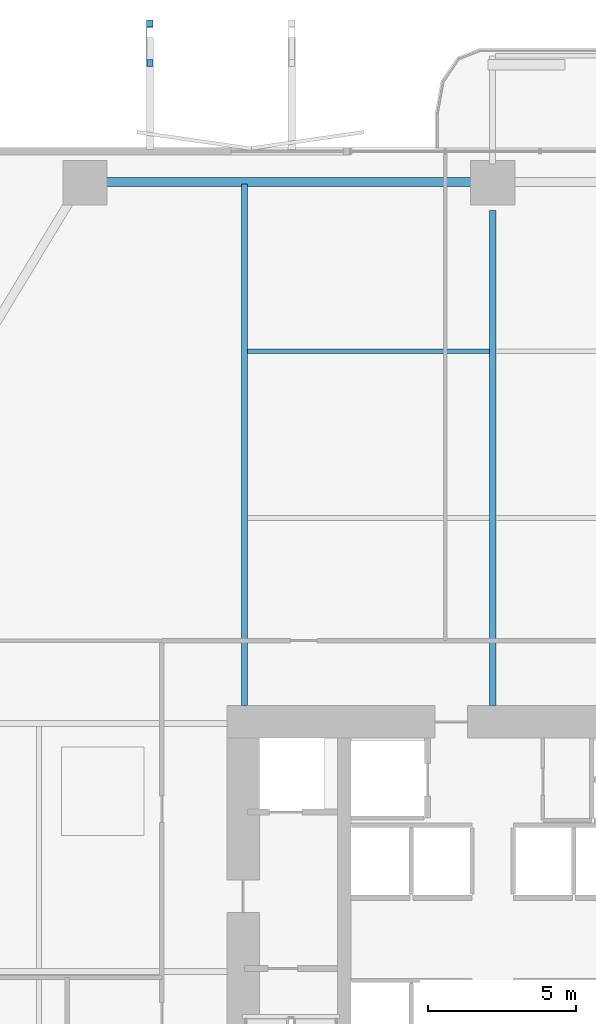
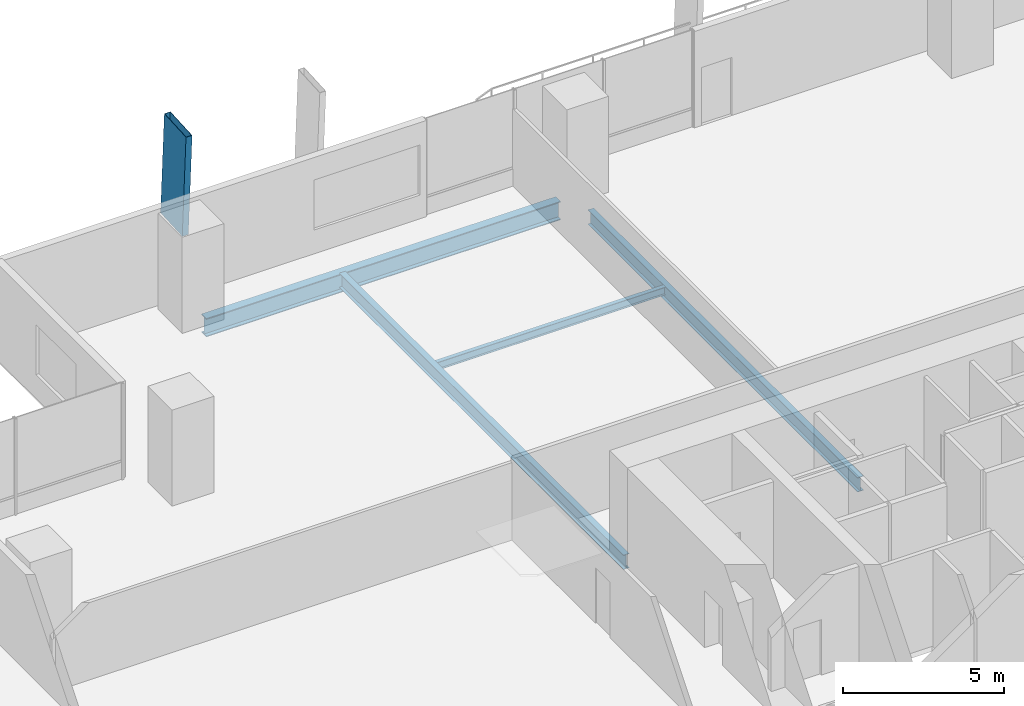
# One storey, part 16 of 30: 4 beams, 1 member.
"""IFC4 building model written with IfcOpenShell, lengths in metres."""

from ifc_helpers import new_model, si_unit, direction, frame, origin, origin_2d, place, context, subcontext, project, spatial, hollow_rectangle, i_section, extrude, material, material_profile, profile_set, type_object, element, save


model = new_model("IFC4")

# Units and contexts
model_context = context("Model", 3, precision=1e-05, world=origin(), true_north=direction((0.0, 1.0)))
body_context = subcontext(model_context, "Body", "Model", "MODEL_VIEW")
ifc_project = project(units=[si_unit("LENGTHUNIT", "METRE"), si_unit("AREAUNIT", "SQUARE_METRE"), si_unit("VOLUMEUNIT", "CUBIC_METRE"), si_unit("PLANEANGLEUNIT", "RADIAN"), si_unit("MASSUNIT", "GRAM", prefix="KILO")], contexts=[model_context])

# Site, building, storey
site_placement = place(None, origin())
site = spatial("IfcSite", under=ifc_project, at=site_placement, CompositionType="ELEMENT")
building_placement = place(site_placement, origin())
building = spatial("IfcBuilding", under=site, at=building_placement, Name="Belovzor Exchange Tower", CompositionType="ELEMENT")
storey_placement = place(building_placement, frame((0.0, 0.0, 30.0)))
storey = spatial("IfcBuildingStorey", under=building, at=storey_placement, Name="L06", CompositionType="ELEMENT", Elevation=30.0)

# Member
ifc_material_1 = material(Name="Extruded Architectural Terracotta on Steel S355 Carrier", Category="masonry")
ifc_material_profile_1 = material_profile(ifc_material_1, hollow_rectangle(XDim=0.219970703125, YDim=1.35009765625, WallThickness=0.013916015625, at=origin_2d()))
ifc_profile_set_1 = profile_set([ifc_material_profile_1], Name="Extruded Architectural Terracotta on Steel S355 Carrier")
member_type = type_object("IfcMemberType", Name="Base Arc Sweeping Terracotta Pylon Fin 1450", PredefinedType="USERDEFINED", material=ifc_profile_set_1)
member_placement = place(storey_placement, frame((17.199951171875, 60.3369140625, -0.25), z_axis=(0.0, -0.059615826389, 0.998221394904), x_axis=(1.0, 0.0, 0.0)))
element("IfcMember", 1, at=member_placement, inside=storey, type_object=member_type, Name="FIN-TC145 Terracotta Facade Fin L06 N1", ObjectType="FIN", PredefinedType="USERDEFINED", context=body_context, shape_type="SweptSolid", body=[
    extrude(hollow_rectangle(XDim=0.219970703125, YDim=1.35009765625, WallThickness=0.013916015625, at=origin_2d()), origin(), (0.0, 0.0, 1.0), 3.90673828125),
])

# Beams
ifc_material_2 = material(Name="Steel S355", Category="steel")
ifc_material_profile_2 = material_profile(ifc_material_2, i_section(OverallWidth=0.14990234375, OverallDepth=0.300048828125, WebThickness=0.007080078125, FlangeThickness=0.0107421875, at=origin_2d()))
ifc_profile_set_2 = profile_set([ifc_material_profile_2], Name="Steel S355")
beam_type_1 = type_object("IfcBeamType", Name="Secondary Trim Floor Joist IPE 300", PredefinedType="BEAM", material=ifc_profile_set_2)
beam_1_placement = place(storey_placement, frame((20.5048828125, 49.804931640625, -0.39990234375), z_axis=(1.0, 0.0, 0.0), x_axis=(0.0, 1.0, 0.0)))
element("IfcBeam", 2, at=beam_1_placement, inside=storey, type_object=beam_type_1, Name="FJ-300 Secondary Trim Floor Joist IPE 300", PredefinedType="BEAM", context=body_context, shape_type="SweptSolid", body=[
    extrude(i_section(OverallWidth=0.14990234375, OverallDepth=0.300048828125, WebThickness=0.007080078125, FlangeThickness=0.0107421875, at=origin_2d()), origin(), (0.0, 0.0, 1.0), 8.190185546875),
])
ifc_material_3 = material(Name="Steel S355", Category="steel")
ifc_material_profile_3 = material_profile(ifc_material_3, i_section(OverallWidth=0.300048828125, OverallDepth=0.699951171875, WebThickness=0.01708984375, FlangeThickness=0.031982421875, at=origin_2d()))
ifc_profile_set_3 = profile_set([ifc_material_profile_3], Name="Steel S355")
beam_type_2 = type_object("IfcBeamType", Name="Zone 1 Primary Perimeter Girder HEB 700", PredefinedType="BEAM", material=ifc_profile_set_3)
beam_2_placement = place(storey_placement, frame((28.195068359375, 55.530029296875, -0.60009765625), z_axis=(-1.0, 0.0, 0.0), x_axis=(0.0, -1.0, 0.0)))
element("IfcBeam", 3, at=beam_2_placement, inside=storey, type_object=beam_type_2, Name="FG-Z1 Zone 1 Primary Perimeter Girder HEB 700", PredefinedType="BEAM", context=body_context, shape_type="SweptSolid", body=[
    extrude(i_section(OverallWidth=0.300048828125, OverallDepth=0.699951171875, WebThickness=0.01708984375, FlangeThickness=0.031982421875, at=origin_2d()), origin(), (0.0, 0.0, 1.0), 12.7099609375),
])
ifc_material_4 = material(Name="Steel S355", Category="steel")
ifc_material_profile_4 = material_profile(ifc_material_4, i_section(OverallWidth=0.2099609375, OverallDepth=0.550048828125, WebThickness=0.010986328125, FlangeThickness=0.01708984375, at=origin_2d()))
ifc_profile_set_4 = profile_set([ifc_material_profile_4], Name="Steel S355")
beam_type_3 = type_object("IfcBeamType", Name="Zone 1 Radial Composite Floor Beam IPE 550", PredefinedType="BEAM", material=ifc_profile_set_4)
beam_3_placement = place(storey_placement, frame((20.39990234375, 37.800048828125, -0.52490234375), z_axis=(0.0, 1.0, 0.0), x_axis=(-1.0, 0.0, 0.0)))
element("IfcBeam", 4, at=beam_3_placement, inside=storey, type_object=beam_type_3, Name="FB-550 Zone 1 Radial Composite Floor Beam IPE 550", PredefinedType="BEAM", context=body_context, shape_type="SweptSolid", body=[
    extrude(i_section(OverallWidth=0.2099609375, OverallDepth=0.550048828125, WebThickness=0.010986328125, FlangeThickness=0.01708984375, at=origin_2d()), origin(), (0.0, 0.0, 1.0), 17.655029296875),
])
beam_4_placement = place(storey_placement, frame((28.800048828125, 37.800048828125, -0.52490234375), z_axis=(0.0, 1.0, 0.0), x_axis=(-1.0, 0.0, 0.0)))
element("IfcBeam", 5, at=beam_4_placement, inside=storey, type_object=beam_type_3, Name="FB-550 Zone 1 Radial Composite Floor Beam IPE 550", PredefinedType="BEAM", context=body_context, shape_type="SweptSolid", body=[
    extrude(i_section(OverallWidth=0.2099609375, OverallDepth=0.550048828125, WebThickness=0.010986328125, FlangeThickness=0.01708984375, at=origin_2d()), origin(), (0.0, 0.0, 1.0), 16.758056640625),
])

save(model, "model.ifc")
